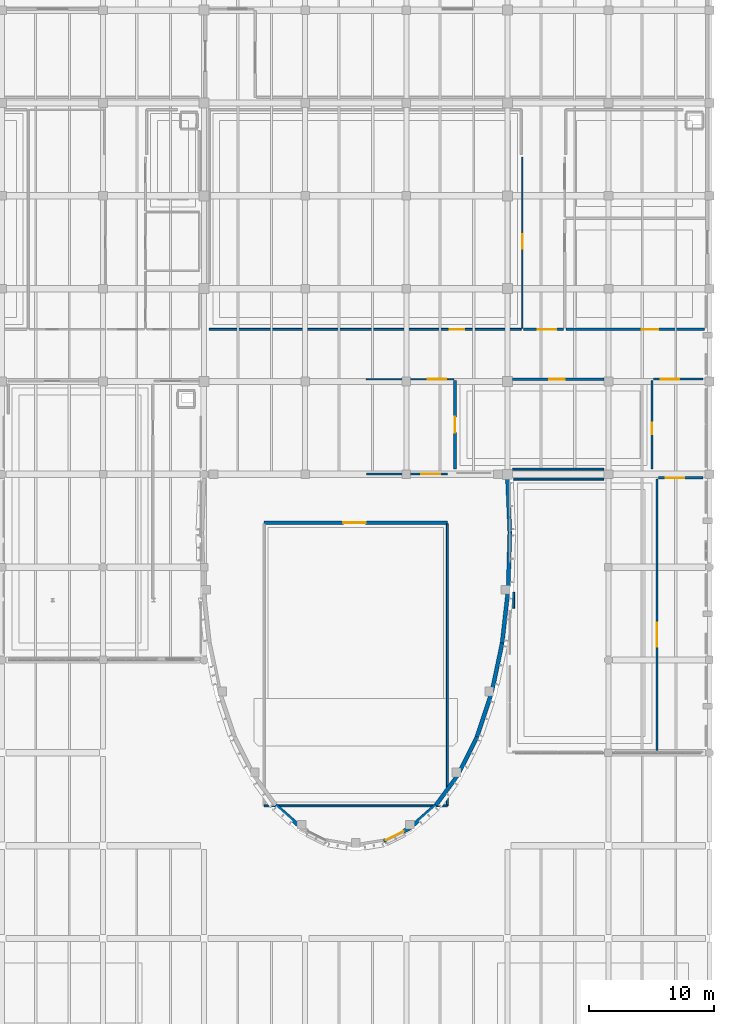
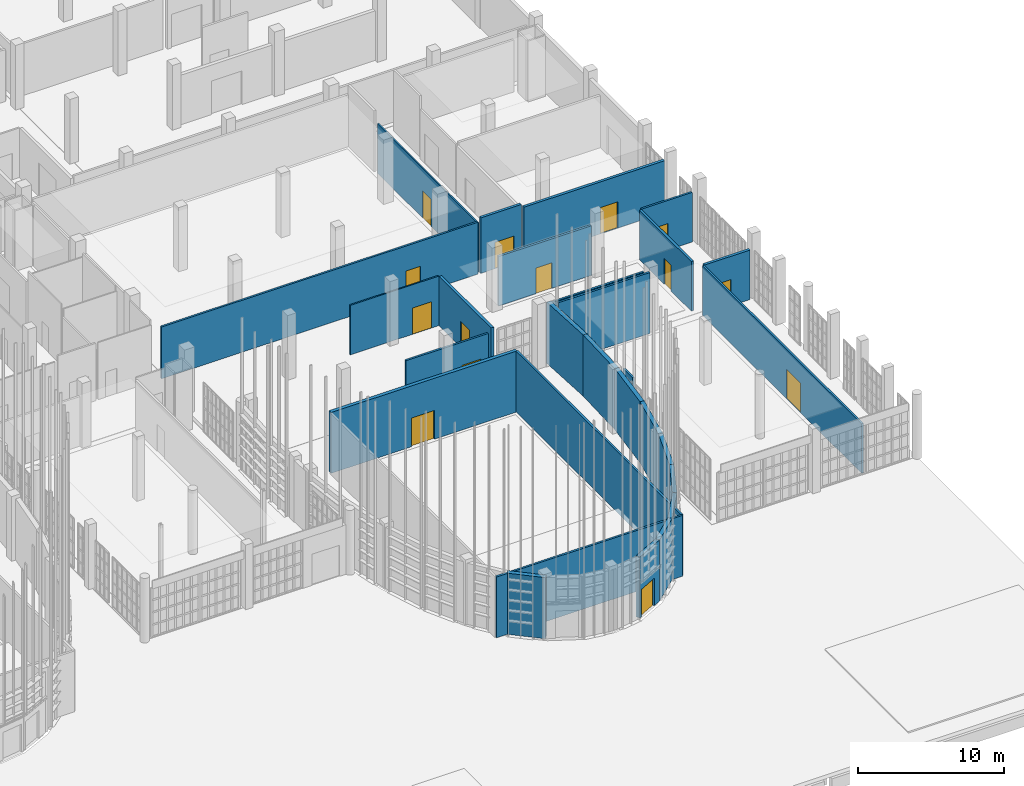
# One storey, part 358 of 372: 28 walls, 14 doors, 14 openings.
"""IFC4 building model written with IfcOpenShell, lengths in metres."""

from ifc_helpers import new_model, si_unit, direction, frame, frame_2d, origin, place, context, subcontext, project, spatial, rectangle, extrude, material, layer, layer_set, type_object, element, fill, save


model = new_model("IFC4")

# Units and contexts
model_context = context("Model", 3, precision=1e-05, world=origin(), true_north=direction((0.0, 1.0)))
body_context = subcontext(model_context, "Body", "Model", "MODEL_VIEW")
ifc_project = project(units=[si_unit("LENGTHUNIT", "METRE"), si_unit("AREAUNIT", "SQUARE_METRE"), si_unit("VOLUMEUNIT", "CUBIC_METRE"), si_unit("PLANEANGLEUNIT", "RADIAN"), si_unit("MASSUNIT", "GRAM", prefix="KILO")], contexts=[model_context])

# Site, building, storey
site_placement = place(None, origin())
site = spatial("IfcSite", under=ifc_project, at=site_placement, CompositionType="ELEMENT")
building_placement = place(site_placement, origin())
building = spatial("IfcBuilding", under=site, at=building_placement, Name="Kaelora Sail Theatre", CompositionType="ELEMENT")
storey_placement = place(building_placement, origin())
storey = spatial("IfcBuildingStorey", under=building, at=storey_placement, Name="L00", CompositionType="ELEMENT", Elevation=0.0)

# Walls
ifc_material_1 = material(Name="Concrete C45/55", Category="concrete")
ifc_layer_1 = layer(ifc_material_1, 0.320068359375)
ifc_layer_set_1 = layer_set([ifc_layer_1], Name="Concrete C45/55")
wall_type_1 = type_object("IfcWallType", Name="ARC-WL-DW-320", PredefinedType="SHEAR", material=ifc_layer_set_1)
wall_1_placement = place(storey_placement, frame((147.300048828125, 53.580078125, 0.0), z_axis=(0.0, 0.0, 1.0), x_axis=(0.042491348944, -0.999096834779, 0.0)))
element("IfcWall", 1, at=wall_1_placement, inside=storey, type_object=wall_type_1, Name="Black-Box and Experimental Sail Wing curved drum acoustic wall L00 chord 1", PredefinedType="SHEAR", context=body_context, shape_type="SweptSolid", body=[
    extrude(rectangle(XDim=4.65966796875, YDim=0.320068359375, at=frame_2d((2.329833984375, 0.0))), origin(), (0.0, 0.0, 1.0), 5.10498046875),
])
wall_2_placement = place(storey_placement, frame((147.498046875, 48.924560546875, 0.0), z_axis=(0.0, 0.0, 1.0), x_axis=(-0.028914192202, -0.99958189734, 0.0)))
element("IfcWall", 2, at=wall_2_placement, inside=storey, type_object=wall_type_1, Name="Black-Box and Experimental Sail Wing curved drum acoustic wall L00 chord 2", PredefinedType="SHEAR", context=body_context, shape_type="SweptSolid", body=[
    extrude(rectangle(XDim=4.542724609375, YDim=0.320068359375, at=frame_2d((2.271484375, 0.0))), origin(), (0.0, 0.0, 1.0), 5.10498046875),
])
wall_3_placement = place(storey_placement, frame((147.36669921875, 44.3837890625, 0.0), z_axis=(0.0, 0.0, 1.0), x_axis=(-0.110727786474, -0.99385077215, 0.0)))
element("IfcWall", 3, at=wall_3_placement, inside=storey, type_object=wall_type_1, Name="Black-Box and Experimental Sail Wing curved drum acoustic wall L00 chord 3", PredefinedType="SHEAR", context=body_context, shape_type="SweptSolid", body=[
    extrude(rectangle(XDim=4.34130859375, YDim=0.320068359375, at=frame_2d((2.170654296875, 0.0))), origin(), (0.0, 0.0, 1.0), 5.10498046875),
])
wall_4_placement = place(storey_placement, frame((146.885986328125, 40.069091796875, 0.0), z_axis=(0.0, 0.0, 1.0), x_axis=(-0.205581027368, -0.978640097884, 0.0)))
element("IfcWall", 4, at=wall_4_placement, inside=storey, type_object=wall_type_1, Name="Black-Box and Experimental Sail Wing curved drum acoustic wall L00 chord 4", PredefinedType="SHEAR", context=body_context, shape_type="SweptSolid", body=[
    extrude(rectangle(XDim=4.068603515625, YDim=0.320068359375, at=frame_2d((2.0341796875, 0.0))), origin(), (0.0, 0.0, 1.0), 5.10498046875),
])
wall_5_placement = place(storey_placement, frame((146.049560546875, 36.08740234375, 0.0), z_axis=(0.0, 0.0, 1.0), x_axis=(-0.316169058551, -0.948702865188, 0.0)))
element("IfcWall", 5, at=wall_5_placement, inside=storey, type_object=wall_type_1, Name="Black-Box and Experimental Sail Wing curved drum acoustic wall L00 chord 5", PredefinedType="SHEAR", context=body_context, shape_type="SweptSolid", body=[
    extrude(rectangle(XDim=3.74267578125, YDim=0.320068359375, at=frame_2d((1.871337890625, 0.0))), origin(), (0.0, 0.0, 1.0), 5.10498046875),
])
wall_6_placement = place(storey_placement, frame((144.8662109375, 32.53662109375, 0.0), z_axis=(0.0, 0.0, 1.0), x_axis=(-0.444413541931, -0.895821747754, 0.0)))
element("IfcWall", 6, at=wall_6_placement, inside=storey, type_object=wall_type_1, Name="Black-Box and Experimental Sail Wing curved drum acoustic wall L00 chord 6", PredefinedType="SHEAR", context=body_context, shape_type="SweptSolid", body=[
    extrude(rectangle(XDim=3.3857421875, YDim=0.320068359375, at=frame_2d((1.69287109375, 0.0))), origin(), (0.0, 0.0, 1.0), 5.10498046875),
])
wall_7_placement = place(storey_placement, frame((143.361572265625, 29.503662109375, 0.0), z_axis=(0.0, 0.0, 1.0), x_axis=(-0.590526669923, -0.80701812378, 0.0)))
element("IfcWall", 7, at=wall_7_placement, inside=storey, type_object=wall_type_1, Name="Black-Box and Experimental Sail Wing curved drum acoustic wall L00 chord 7", PredefinedType="SHEAR", context=body_context, shape_type="SweptSolid", body=[
    extrude(rectangle(XDim=3.0234375, YDim=0.320068359375, at=frame_2d((1.51171875, 0.0))), origin(), (0.0, 0.0, 1.0), 5.10498046875),
])
wall_8_placement = place(storey_placement, frame((141.576171875, 27.063720703125, 0.0), z_axis=(0.0, 0.0, 1.0), x_axis=(-0.747369254982, -0.664408907757, 0.0)))
element("IfcWall", 8, at=wall_8_placement, inside=storey, type_object=wall_type_1, Name="Black-Box and Experimental Sail Wing curved drum acoustic wall L00 chord 8", PredefinedType="SHEAR", context=body_context, shape_type="SweptSolid", body=[
    extrude(rectangle(XDim=2.689697265625, YDim=0.320068359375, at=frame_2d((1.3447265625, 0.0))), origin(), (0.0, 0.0, 1.0), 5.10498046875),
])

# Wall, opening, door
wall_9_placement = place(storey_placement, frame((139.56591796875, 25.276611328125, 0.0), z_axis=(0.0, 0.0, 1.0), x_axis=(-0.893358131495, -0.449345355925, 0.0)))
wall_9 = element("IfcWall", 9, at=wall_9_placement, inside=storey, type_object=wall_type_1, Name="Black-Box and Experimental Sail Wing curved drum acoustic wall L00 chord 9", PredefinedType="SHEAR", context=body_context, shape_type="SweptSolid", body=[
    extrude(rectangle(XDim=2.426513671875, YDim=0.320068359375, at=frame_2d((1.21337890625, 0.0))), origin(), (0.0, 0.0, 1.0), 5.10498046875),
])
opening_1_placement = place(wall_9_placement, frame((0.64599609375, 0.0, 0.0)))
opening_1 = element("IfcOpeningElement", 10, at=opening_1_placement, cuts=wall_9, Name="Opening ED-05", PredefinedType="OPENING", context=body_context, shape_type="SweptSolid", body=[
    extrude(rectangle(XDim=1.60009765625, YDim=2.300048828125, at=frame_2d((0.800048828125, 1.14990234375))), frame((0.0, 0.170156, 0.0), z_axis=(0.0, -1.0, 0.0), x_axis=(1.0, 0.0, 0.0)), (0.0, 0.0, 1.0), 0.340068),
])
ifc_material_2 = material(Name="Terrace glazed double swing door", Category="aluminium")
door_type_1 = type_object("IfcDoorType", Name="ARC-DR-ED-05", OperationType="NOTDEFINED", PredefinedType="DOOR", material=ifc_material_2)
door_1_placement = place(opening_1_placement, origin())
door_1 = element("IfcDoor", 11, at=door_1_placement, inside=storey, type_object=door_type_1, Name="Black-Box and Experimental Sail Wing plaza final exit door C9", OperationType="DOUBLE_DOOR_SINGLE_SWING", OverallHeight=2.300048828125, OverallWidth=1.60009765625, PredefinedType="DOOR", context=body_context, shape_type="SweptSolid", body=[
    extrude(rectangle(XDim=1.60009765625, YDim=2.300048828125, at=frame_2d((0.800048828125, 1.14990234375))), frame((0.0, 0.02490234375, 0.0), z_axis=(0.0, -1.0, 0.0), x_axis=(1.0, 0.0, 0.0)), (0.0, 0.0, 1.0), 0.050048828125),
])
fill(opening_1, door_1)

# Wall
wall_10_placement = place(storey_placement, frame((130.734130859375, 25.276611328125, 0.0), z_axis=(0.0, 0.0, 1.0), x_axis=(-0.747369254982, 0.664408907757, 0.0)))
element("IfcWall", 12, at=wall_10_placement, inside=storey, type_object=wall_type_1, Name="Black-Box and Experimental Sail Wing curved drum acoustic wall L00 chord 13", PredefinedType="SHEAR", context=body_context, shape_type="SweptSolid", body=[
    extrude(rectangle(XDim=2.689697265625, YDim=0.320068359375, at=frame_2d((1.3447265625, 0.0))), origin(), (0.0, 0.0, 1.0), 5.10498046875),
])

# Wall, opening, door
ifc_material_3 = material(Name="Demountable acoustic studio wall 150 mm", Category="timber")
ifc_layer_2 = layer(ifc_material_3, 0.14990234375)
ifc_layer_set_2 = layer_set([ifc_layer_2], Name="Demountable acoustic studio wall 150 mm")
wall_type_2 = type_object("IfcWallType", Name="ARC-WL-MV-150", PredefinedType="MOVABLE", material=ifc_layer_set_2)
wall_11_placement = place(storey_placement, frame((159.300048828125, 31.429931640625, 0.0), z_axis=(0.0, 0.0, 1.0), x_axis=(0.0, 1.0, 0.0)))
wall_11 = element("IfcWall", 13, at=wall_11_placement, inside=storey, type_object=wall_type_2, Name="Interior acoustic partition L00-COL-EAST/L00-COR-COLE", PredefinedType="MOVABLE", context=body_context, shape_type="SweptSolid", body=[
    extrude(rectangle(XDim=21.77001953125, YDim=0.14990234375, at=frame_2d((10.885009765625, 0.0))), origin(), (0.0, 0.0, 1.0), 4.136962890625),
])
opening_2_placement = place(wall_11_placement, frame((8.322021484375, 0.0, 0.0)))
opening_2 = element("IfcOpeningElement", 14, at=opening_2_placement, cuts=wall_11, Name="Opening ID-10", PredefinedType="OPENING", context=body_context, shape_type="SweptSolid", body=[
    extrude(rectangle(XDim=1.949951171875, YDim=2.449951171875, at=frame_2d((0.97509765625, 1.22509765625))), frame((0.0, 0.084951, 0.0), z_axis=(0.0, -1.0, 0.0), x_axis=(1.0, 0.0, 0.0)), (0.0, 0.0, 1.0), 0.169902),
])
ifc_material_4 = material(Name="Foyer hospitality glazed double door", Category="steel")
door_type_2 = type_object("IfcDoorType", Name="ARC-DR-ID-10", OperationType="NOTDEFINED", PredefinedType="DOOR", material=ifc_material_4)
door_2_placement = place(opening_2_placement, origin())
door_2 = element("IfcDoor", 15, at=door_2_placement, inside=storey, type_object=door_type_2, Name="Interior door L00-COL-EAST to L00-COR-COLE", OperationType="DOUBLE_DOOR_SINGLE_SWING", OverallHeight=2.449951171875, OverallWidth=1.949951171875, PredefinedType="DOOR", context=body_context, shape_type="SweptSolid", body=[
    extrude(rectangle(XDim=1.949951171875, YDim=2.449951171875, at=frame_2d((0.97509765625, 1.22509765625))), frame((0.0, 0.02490234375, 0.0), z_axis=(0.0, -1.0, 0.0), x_axis=(1.0, 0.0, 0.0)), (0.0, 0.0, 1.0), 0.050048828125),
])
fill(opening_2, door_2)

wall_12_placement = place(storey_placement, frame((123.39990234375, 65.199951171875, 0.0), z_axis=(0.0, 0.0, 1.0), x_axis=(1.0, 0.0, 0.0)))
wall_12 = element("IfcWall", 16, at=wall_12_placement, inside=storey, type_object=wall_type_2, Name="Interior acoustic partition L00-COR-FOYC/L00-FOY-EAST", PredefinedType="MOVABLE", context=body_context, shape_type="SweptSolid", body=[
    extrude(rectangle(XDim=25.0, YDim=0.14990234375, at=frame_2d((12.5, 0.0))), origin(), (0.0, 0.0, 1.0), 4.3369140625),
])
opening_3_placement = place(wall_12_placement, frame((19.2890625, 0.0, 0.0)))
opening_3 = element("IfcOpeningElement", 17, at=opening_3_placement, cuts=wall_12, Name="Opening ID-07", PredefinedType="OPENING", context=body_context, shape_type="SweptSolid", body=[
    extrude(rectangle(XDim=1.14990234375, YDim=2.25, at=frame_2d((0.574951171875, 1.125))), frame((0.0, 0.084951, 0.0), z_axis=(0.0, -1.0, 0.0), x_axis=(1.0, 0.0, 0.0)), (0.0, 0.0, 1.0), 0.169902),
])
ifc_material_5 = material(Name="Chorus ensemble wide single door", Category="steel")
door_type_3 = type_object("IfcDoorType", Name="ARC-DR-ID-07", OperationType="NOTDEFINED", PredefinedType="DOOR", material=ifc_material_5)
door_3_placement = place(opening_3_placement, origin())
door_3 = element("IfcDoor", 18, at=door_3_placement, inside=storey, type_object=door_type_3, Name="Interior door L00-COR-FOYC to L00-FOY-EAST", OperationType="SINGLE_SWING_RIGHT", OverallHeight=2.25, OverallWidth=1.14990234375, PredefinedType="DOOR", context=body_context, shape_type="SweptSolid", body=[
    extrude(rectangle(XDim=1.14990234375, YDim=2.25, at=frame_2d((0.574951171875, 1.125))), frame((0.0, 0.02490234375, 0.0), z_axis=(0.0, -1.0, 0.0), x_axis=(1.0, 0.0, 0.0)), (0.0, 0.0, 1.0), 0.050048828125),
])
fill(opening_3, door_3)

ifc_material_6 = material(Name="Sanitary moisture-resistant partition 100 mm", Category="gypsum")
ifc_layer_3 = layer(ifc_material_6, 0.10009765625)
ifc_layer_set_3 = layer_set([ifc_layer_3], Name="Sanitary moisture-resistant partition 100 mm")
wall_type_3 = type_object("IfcWallType", Name="ARC-WL-PT-100", PredefinedType="PARTITIONING", material=ifc_layer_set_3)
wall_13_placement = place(storey_placement, frame((148.5, 65.300048828125, 0.0), z_axis=(0.0, 0.0, 1.0), x_axis=(0.0, 1.0, 0.0)))
wall_13 = element("IfcWall", 19, at=wall_13_placement, inside=storey, type_object=wall_type_3, Name="Interior acoustic partition L00-FOY-EAST/L00-COR-FCC", PredefinedType="PARTITIONING", context=body_context, shape_type="SweptSolid", body=[
    extrude(rectangle(XDim=13.699951171875, YDim=0.10009765625, at=frame_2d((6.85009765625, 0.0))), origin(), (0.0, 0.0, 1.0), 4.136962890625),
])
opening_4_placement = place(wall_13_placement, frame((6.375, 0.0, 0.0)))
opening_4 = element("IfcOpeningElement", 20, at=opening_4_placement, cuts=wall_13, Name="Opening ID-07", PredefinedType="OPENING", context=body_context, shape_type="SweptSolid", body=[
    extrude(rectangle(XDim=1.14990234375, YDim=2.25, at=frame_2d((0.574951171875, 1.125))), frame((0.0, 0.060049, 0.0), z_axis=(0.0, -1.0, 0.0), x_axis=(1.0, 0.0, 0.0)), (0.0, 0.0, 1.0), 0.120098),
])
door_4_placement = place(opening_4_placement, origin())
door_4 = element("IfcDoor", 21, at=door_4_placement, inside=storey, type_object=door_type_3, Name="Interior door L00-FOY-EAST to L00-COR-FCC", OperationType="SINGLE_SWING_RIGHT", OverallHeight=2.25, OverallWidth=1.14990234375, PredefinedType="DOOR", context=body_context, shape_type="SweptSolid", body=[
    extrude(rectangle(XDim=1.14990234375, YDim=2.25, at=frame_2d((0.574951171875, 1.125))), frame((0.0, 0.02490234375, 0.0), z_axis=(0.0, -1.0, 0.0), x_axis=(1.0, 0.0, 0.0)), (0.0, 0.0, 1.0), 0.050048828125),
])
fill(opening_4, door_4)

ifc_material_7 = material(Name="Office acoustic stud partition 110 mm", Category="gypsum")
ifc_layer_4 = layer(ifc_material_7, 0.110107421875)
ifc_layer_set_4 = layer_set([ifc_layer_4], Name="Office acoustic stud partition 110 mm")
wall_type_4 = type_object("IfcWallType", Name="ARC-WL-PT-110", PredefinedType="PARTITIONING", material=ifc_layer_set_4)
wall_14_placement = place(storey_placement, frame((136.0, 61.199951171875, 0.0), z_axis=(0.0, 0.0, 1.0), x_axis=(1.0, 0.0, 0.0)))
wall_14 = element("IfcWall", 22, at=wall_14_placement, inside=storey, type_object=wall_type_4, Name="Interior acoustic partition L00-COR-BBL/L00-COR-FOYC", PredefinedType="PARTITIONING", context=body_context, shape_type="SweptSolid", body=[
    extrude(rectangle(XDim=7.0, YDim=0.110107421875, at=frame_2d((3.5, 0.0))), origin(), (0.0, 0.0, 1.0), 4.136962890625),
])
opening_5_placement = place(wall_14_placement, frame((4.919921875, 0.0, 0.0)))
opening_5 = element("IfcOpeningElement", 23, at=opening_5_placement, cuts=wall_14, Name="Opening FD-01", PredefinedType="OPENING", context=body_context, shape_type="SweptSolid", body=[
    extrude(rectangle(XDim=1.5, YDim=2.199951171875, at=frame_2d((0.75, 1.10009765625))), frame((0.0, 0.065176, 0.0), z_axis=(0.0, -1.0, 0.0), x_axis=(1.0, 0.0, 0.0)), (0.0, 0.0, 1.0), 0.130107),
])
ifc_material_8 = material(Name="Acoustic steel double fire door EI 90-C", Category="steel")
door_type_4 = type_object("IfcDoorType", Name="ARC-DR-FD-01", OperationType="NOTDEFINED", PredefinedType="DOOR", material=ifc_material_8)
door_5_placement = place(opening_5_placement, origin())
door_5 = element("IfcDoor", 24, at=door_5_placement, inside=storey, type_object=door_type_4, Name="Interior door L00-COR-BBL to L00-COR-FOYC", OperationType="DOUBLE_DOOR_SINGLE_SWING", OverallHeight=2.199951171875, OverallWidth=1.5, PredefinedType="DOOR", context=body_context, shape_type="SweptSolid", body=[
    extrude(rectangle(XDim=1.5, YDim=2.199951171875, at=frame_2d((0.75, 1.10009765625))), frame((0.0, 0.02490234375, 0.0), z_axis=(0.0, -1.0, 0.0), x_axis=(1.0, 0.0, 0.0)), (0.0, 0.0, 1.0), 0.050048828125),
])
fill(opening_5, door_5)

ifc_material_9 = material(Name="Acoustic metal-stud plasterboard 160 mm", Category="gypsum")
ifc_layer_5 = layer(ifc_material_9, 0.159912109375)
ifc_layer_set_5 = layer_set([ifc_layer_5], Name="Acoustic metal-stud plasterboard 160 mm")
wall_type_5 = type_object("IfcWallType", Name="ARC-WL-PT-160", PredefinedType="PARTITIONING", material=ifc_layer_set_5)
wall_15_placement = place(storey_placement, frame((136.0, 53.60009765625, 0.0), z_axis=(0.0, 0.0, 1.0), x_axis=(1.0, 0.0, 0.0)))
wall_15 = element("IfcWall", 25, at=wall_15_placement, inside=storey, type_object=wall_type_5, Name="Interior acoustic partition L00-BB-LOB/L00-COR-BBL", PredefinedType="PARTITIONING", context=body_context, shape_type="SweptSolid", body=[
    extrude(rectangle(XDim=6.5, YDim=0.159912109375, at=frame_2d((3.25, 0.0))), origin(), (0.0, 0.0, 1.0), 4.136962890625),
])
opening_6_placement = place(wall_15_placement, frame((4.419921875, 0.0, 0.0)))
opening_6 = element("IfcOpeningElement", 26, at=opening_6_placement, cuts=wall_15, Name="Opening FD-01", PredefinedType="OPENING", context=body_context, shape_type="SweptSolid", body=[
    extrude(rectangle(XDim=1.5, YDim=2.199951171875, at=frame_2d((0.75, 1.10009765625))), frame((0.0, 0.090078, 0.0), z_axis=(0.0, -1.0, 0.0), x_axis=(1.0, 0.0, 0.0)), (0.0, 0.0, 1.0), 0.179912),
])
door_6_placement = place(opening_6_placement, origin())
door_6 = element("IfcDoor", 27, at=door_6_placement, inside=storey, type_object=door_type_4, Name="Interior door L00-BB-LOB to L00-COR-BBL", OperationType="DOUBLE_DOOR_SINGLE_SWING", OverallHeight=2.199951171875, OverallWidth=1.5, PredefinedType="DOOR", context=body_context, shape_type="SweptSolid", body=[
    extrude(rectangle(XDim=1.5, YDim=2.199951171875, at=frame_2d((0.75, 1.10009765625))), frame((0.0, 0.02490234375, 0.0), z_axis=(0.0, -1.0, 0.0), x_axis=(1.0, 0.0, 0.0)), (0.0, 0.0, 1.0), 0.050048828125),
])
fill(opening_6, door_6)

wall_16_placement = place(storey_placement, frame((159.0, 61.199951171875, 0.0), z_axis=(0.0, 0.0, 1.0), x_axis=(1.0, 0.0, 0.0)))
wall_16 = element("IfcWall", 28, at=wall_16_placement, inside=storey, type_object=wall_type_5, Name="Interior acoustic partition L00-COR-FOYC/L00-COR-SE", PredefinedType="PARTITIONING", context=body_context, shape_type="SweptSolid", body=[
    extrude(rectangle(XDim=4.0, YDim=0.159912109375, at=frame_2d((2.0, 0.0))), origin(), (0.0, 0.0, 1.0), 4.136962890625),
])
opening_7_placement = place(wall_16_placement, frame((0.580078125, 0.0, 0.0)))
opening_7 = element("IfcOpeningElement", 29, at=opening_7_placement, cuts=wall_16, Name="Opening FD-01", PredefinedType="OPENING", context=body_context, shape_type="SweptSolid", body=[
    extrude(rectangle(XDim=1.5, YDim=2.199951171875, at=frame_2d((0.75, 1.10009765625))), frame((0.0, 0.090078, 0.0), z_axis=(0.0, -1.0, 0.0), x_axis=(1.0, 0.0, 0.0)), (0.0, 0.0, 1.0), 0.179912),
])
door_7_placement = place(opening_7_placement, origin())
door_7 = element("IfcDoor", 30, at=door_7_placement, inside=storey, type_object=door_type_4, Name="Interior door L00-COR-FOYC to L00-COR-SE", OperationType="DOUBLE_DOOR_SINGLE_SWING", OverallHeight=2.199951171875, OverallWidth=1.5, PredefinedType="DOOR", context=body_context, shape_type="SweptSolid", body=[
    extrude(rectangle(XDim=1.5, YDim=2.199951171875, at=frame_2d((0.75, 1.10009765625))), frame((0.0, 0.02490234375, 0.0), z_axis=(0.0, -1.0, 0.0), x_axis=(1.0, 0.0, 0.0)), (0.0, 0.0, 1.0), 0.050048828125),
])
fill(opening_7, door_7)

# Walls
wall_17_placement = place(storey_placement, frame((127.800048828125, 27.0, 0.0), z_axis=(0.0, 0.0, 1.0), x_axis=(1.0, 0.0, 0.0)))
element("IfcWall", 31, at=wall_17_placement, inside=storey, type_object=wall_type_5, Name="Room enclosure wall L00-AUD-BB-S1", PredefinedType="PARTITIONING", context=body_context, shape_type="SweptSolid", body=[
    extrude(rectangle(XDim=14.699951171875, YDim=0.159912109375, at=frame_2d((7.35009765625, 0.0))), origin(), (0.0, 0.0, 1.0), 5.0849609375),
])
wall_18_placement = place(storey_placement, frame((142.5, 27.0, 0.0), z_axis=(0.0, 0.0, 1.0), x_axis=(0.0, 1.0, 0.0)))
element("IfcWall", 32, at=wall_18_placement, inside=storey, type_object=wall_type_5, Name="Room enclosure wall L00-AUD-BB-E1", PredefinedType="PARTITIONING", context=body_context, shape_type="SweptSolid", body=[
    extrude(rectangle(XDim=22.60009765625, YDim=0.159912109375, at=frame_2d((11.300048828125, 0.0))), origin(), (0.0, 0.0, 1.0), 5.0849609375),
])
wall_19_placement = place(storey_placement, frame((147.800048828125, 53.199951171875, 0.0), z_axis=(0.0, 0.0, 1.0), x_axis=(1.0, 0.0, 0.0)))
element("IfcWall", 33, at=wall_19_placement, inside=storey, type_object=wall_type_5, Name="Room enclosure wall L00-COL-EAST-N1", PredefinedType="PARTITIONING", context=body_context, shape_type="SweptSolid", body=[
    extrude(rectangle(XDim=7.22998046875, YDim=0.159912109375, at=frame_2d((3.614990234375, 0.0))), origin(), (0.0, 0.0, 1.0), 5.0849609375),
])
wall_20_placement = place(storey_placement, frame((147.800048828125, 42.85009765625, 0.0), z_axis=(0.0, 0.0, 1.0), x_axis=(0.0, 1.0, 0.0)))
element("IfcWall", 34, at=wall_20_placement, inside=storey, type_object=wall_type_5, Name="Room enclosure wall L00-COL-EAST-W1", PredefinedType="PARTITIONING", context=body_context, shape_type="SweptSolid", body=[
    extrude(rectangle(XDim=1.28369140625, YDim=0.159912109375, at=frame_2d((0.641845703125, 0.0))), origin(), (0.0, 0.0, 1.0), 5.0849609375),
])
wall_21_placement = place(storey_placement, frame((147.719970703125, 54.0, 0.0), z_axis=(0.0, 0.0, 1.0), x_axis=(1.0, 0.0, 0.0)))
element("IfcWall", 35, at=wall_21_placement, inside=storey, type_object=wall_type_5, Name="Room enclosure wall L00-FOY-SE-S1", PredefinedType="PARTITIONING", context=body_context, shape_type="SweptSolid", body=[
    extrude(rectangle(XDim=7.31005859375, YDim=0.159912109375, at=frame_2d((3.655029296875, 0.0))), origin(), (0.0, 0.0, 1.0), 4.636962890625),
])

# Wall, opening, door
ifc_material_10 = material(Name="Workshop acoustic stud partition 170 mm", Category="gypsum")
ifc_layer_6 = layer(ifc_material_10, 0.169921875)
ifc_layer_set_6 = layer_set([ifc_layer_6], Name="Workshop acoustic stud partition 170 mm")
wall_type_6 = type_object("IfcWallType", Name="ARC-WL-PT-170", PredefinedType="PARTITIONING", material=ifc_layer_set_6)
wall_22_placement = place(storey_placement, frame((147.705078125, 61.199951171875, 0.0), z_axis=(0.0, 0.0, 1.0), x_axis=(1.0, 0.0, 0.0)))
wall_22 = element("IfcWall", 36, at=wall_22_placement, inside=storey, type_object=wall_type_6, Name="Interior acoustic partition L00-COR-FOYC/L00-FOY-SE", PredefinedType="PARTITIONING", context=body_context, shape_type="SweptSolid", body=[
    extrude(rectangle(XDim=7.33984375, YDim=0.169921875, at=frame_2d((3.669921875, 0.0))), origin(), (0.0, 0.0, 1.0), 4.136962890625),
])
opening_8_placement = place(wall_22_placement, frame((2.946044921875, 0.0, 0.0)))
opening_8 = element("IfcOpeningElement", 37, at=opening_8_placement, cuts=wall_22, Name="Opening ID-11", PredefinedType="OPENING", context=body_context, shape_type="SweptSolid", body=[
    extrude(rectangle(XDim=1.25, YDim=2.14990234375, at=frame_2d((0.625, 1.074951171875))), frame((0.0, 0.094961, 0.0), z_axis=(0.0, -1.0, 0.0), x_axis=(1.0, 0.0, 0.0)), (0.0, 0.0, 1.0), 0.189922),
])
ifc_material_11 = material(Name="Plant & rack room steel single door", Category="steel")
door_type_5 = type_object("IfcDoorType", Name="ARC-DR-ID-11", OperationType="NOTDEFINED", PredefinedType="DOOR", material=ifc_material_11)
door_8_placement = place(opening_8_placement, origin())
door_8 = element("IfcDoor", 38, at=door_8_placement, inside=storey, type_object=door_type_5, Name="Interior door L00-COR-FOYC to L00-FOY-SE", OperationType="SINGLE_SWING_RIGHT", OverallHeight=2.14990234375, OverallWidth=1.25, PredefinedType="DOOR", context=body_context, shape_type="SweptSolid", body=[
    extrude(rectangle(XDim=1.25, YDim=2.14990234375, at=frame_2d((0.625, 1.074951171875))), frame((0.0, 0.02490234375, 0.0), z_axis=(0.0, -1.0, 0.0), x_axis=(1.0, 0.0, 0.0)), (0.0, 0.0, 1.0), 0.050048828125),
])
fill(opening_8, door_8)

ifc_material_12 = material(Name="Rehearsal double-stud partition 185 mm", Category="gypsum")
ifc_layer_7 = layer(ifc_material_12, 0.18505859375)
ifc_layer_set_7 = layer_set([ifc_layer_7], Name="Rehearsal double-stud partition 185 mm")
wall_type_7 = type_object("IfcWallType", Name="ARC-WL-PT-185", PredefinedType="PARTITIONING", material=ifc_layer_set_7)
wall_23_placement = place(storey_placement, frame((158.89990234375, 54.0, 0.0), z_axis=(0.0, 0.0, 1.0), x_axis=(0.0, 1.0, 0.0)))
wall_23 = element("IfcWall", 39, at=wall_23_placement, inside=storey, type_object=wall_type_7, Name="Interior acoustic partition L00-FOY-SE/L00-COR-SE", PredefinedType="PARTITIONING", context=body_context, shape_type="SweptSolid", body=[
    extrude(rectangle(XDim=7.10009765625, YDim=0.18505859375, at=frame_2d((3.550048828125, 0.0))), origin(), (0.0, 0.0, 1.0), 4.136962890625),
])
opening_9_placement = place(wall_23_placement, frame((2.77587890625, 0.0, 0.0)))
opening_9 = element("IfcOpeningElement", 40, at=opening_9_placement, cuts=wall_23, Name="Opening ID-02", PredefinedType="OPENING", context=body_context, shape_type="SweptSolid", body=[
    extrude(rectangle(XDim=0.949951171875, YDim=2.14990234375, at=frame_2d((0.47509765625, 1.074951171875))), frame((0.0, 0.102529, 0.0), z_axis=(0.0, -1.0, 0.0), x_axis=(1.0, 0.0, 0.0)), (0.0, 0.0, 1.0), 0.205059),
])
ifc_material_13 = material(Name="Timber dressing and office single door", Category="wood")
door_type_6 = type_object("IfcDoorType", Name="ARC-DR-ID-02", OperationType="NOTDEFINED", PredefinedType="DOOR", material=ifc_material_13)
door_9_placement = place(opening_9_placement, origin())
door_9 = element("IfcDoor", 41, at=door_9_placement, inside=storey, type_object=door_type_6, Name="Interior door L00-FOY-SE to L00-COR-SE", OperationType="SINGLE_SWING_RIGHT", OverallHeight=2.14990234375, OverallWidth=0.949951171875, PredefinedType="DOOR", context=body_context, shape_type="SweptSolid", body=[
    extrude(rectangle(XDim=0.949951171875, YDim=2.14990234375, at=frame_2d((0.47509765625, 1.074951171875))), frame((0.0, 0.02490234375, 0.0), z_axis=(0.0, -1.0, 0.0), x_axis=(1.0, 0.0, 0.0)), (0.0, 0.0, 1.0), 0.050048828125),
])
fill(opening_9, door_9)

ifc_material_14 = material(Name="Acoustic double-stud plasterboard 200 mm", Category="gypsum")
ifc_layer_8 = layer(ifc_material_14, 0.199951171875)
ifc_layer_set_8 = layer_set([ifc_layer_8], Name="Acoustic double-stud plasterboard 200 mm")
wall_type_8 = type_object("IfcWallType", Name="ARC-WL-PT-200", PredefinedType="PARTITIONING", material=ifc_layer_set_8)
wall_24_placement = place(storey_placement, frame((148.60009765625, 65.199951171875, 0.0), z_axis=(0.0, 0.0, 1.0), x_axis=(1.0, 0.0, 0.0)))
wall_24 = element("IfcWall", 42, at=wall_24_placement, inside=storey, type_object=wall_type_8, Name="Interior acoustic partition L00-COR-FOYC/L00-COR-FCC", PredefinedType="PARTITIONING", context=body_context, shape_type="SweptSolid", body=[
    extrude(rectangle(XDim=3.199951171875, YDim=0.199951171875, at=frame_2d((1.60009765625, 0.0))), origin(), (0.0, 0.0, 1.0), 4.636962890625),
])
opening_10_placement = place(wall_24_placement, frame((1.1201171875, 0.0, 0.0)))
opening_10 = element("IfcOpeningElement", 43, at=opening_10_placement, cuts=wall_24, Name="Opening FD-01", PredefinedType="OPENING", context=body_context, shape_type="SweptSolid", body=[
    extrude(rectangle(XDim=1.5, YDim=2.199951171875, at=frame_2d((0.75, 1.10009765625))), frame((0.0, 0.110098, 0.0), z_axis=(0.0, -1.0, 0.0), x_axis=(1.0, 0.0, 0.0)), (0.0, 0.0, 1.0), 0.219951),
])
door_10_placement = place(opening_10_placement, origin())
door_10 = element("IfcDoor", 44, at=door_10_placement, inside=storey, type_object=door_type_4, Name="Interior door L00-COR-FOYC to L00-COR-FCC", OperationType="DOUBLE_DOOR_SINGLE_SWING", OverallHeight=2.199951171875, OverallWidth=1.5, PredefinedType="DOOR", context=body_context, shape_type="SweptSolid", body=[
    extrude(rectangle(XDim=1.5, YDim=2.199951171875, at=frame_2d((0.75, 1.10009765625))), frame((0.0, 0.02490234375, 0.0), z_axis=(0.0, -1.0, 0.0), x_axis=(1.0, 0.0, 0.0)), (0.0, 0.0, 1.0), 0.050048828125),
])
fill(opening_10, door_10)

ifc_material_15 = material(Name="Studio box-in-box acoustic partition 215 mm", Category="gypsum")
ifc_layer_9 = layer(ifc_material_15, 0.215087890625)
ifc_layer_set_9 = layer_set([ifc_layer_9], Name="Studio box-in-box acoustic partition 215 mm")
wall_type_9 = type_object("IfcWallType", Name="ARC-WL-PT-215", PredefinedType="PARTITIONING", material=ifc_layer_set_9)
wall_25_placement = place(storey_placement, frame((143.10009765625, 54.0, 0.0), z_axis=(0.0, 0.0, 1.0), x_axis=(0.0, 1.0, 0.0)))
wall_25 = element("IfcWall", 45, at=wall_25_placement, inside=storey, type_object=wall_type_9, Name="Interior acoustic partition L00-COR-BBL/L00-FOY-SE", PredefinedType="PARTITIONING", context=body_context, shape_type="SweptSolid", body=[
    extrude(rectangle(XDim=7.10009765625, YDim=0.215087890625, at=frame_2d((3.550048828125, 0.0))), origin(), (0.0, 0.0, 1.0), 4.136962890625),
])
opening_11_placement = place(wall_25_placement, frame((2.925048828125, 0.0, 0.0)))
opening_11 = element("IfcOpeningElement", 46, at=opening_11_placement, cuts=wall_25, Name="Opening ID-11", PredefinedType="OPENING", context=body_context, shape_type="SweptSolid", body=[
    extrude(rectangle(XDim=1.25, YDim=2.14990234375, at=frame_2d((0.625, 1.074951171875))), frame((0.0, 0.117422, 0.0), z_axis=(0.0, -1.0, 0.0), x_axis=(1.0, 0.0, 0.0)), (0.0, 0.0, 1.0), 0.235088),
])
door_11_placement = place(opening_11_placement, origin())
door_11 = element("IfcDoor", 47, at=door_11_placement, inside=storey, type_object=door_type_5, Name="Interior door L00-COR-BBL to L00-FOY-SE", OperationType="SINGLE_SWING_RIGHT", OverallHeight=2.14990234375, OverallWidth=1.25, PredefinedType="DOOR", context=body_context, shape_type="SweptSolid", body=[
    extrude(rectangle(XDim=1.25, YDim=2.14990234375, at=frame_2d((0.625, 1.074951171875))), frame((0.0, 0.02490234375, 0.0), z_axis=(0.0, -1.0, 0.0), x_axis=(1.0, 0.0, 0.0)), (0.0, 0.0, 1.0), 0.050048828125),
])
fill(opening_11, door_11)

wall_26_placement = place(storey_placement, frame((159.39990234375, 53.300048828125, 0.0), z_axis=(0.0, 0.0, 1.0), x_axis=(1.0, 0.0, 0.0)))
wall_26 = element("IfcWall", 48, at=wall_26_placement, inside=storey, type_object=wall_type_9, Name="Interior acoustic partition L00-COR-COLE/L00-COR-SE", PredefinedType="PARTITIONING", context=body_context, shape_type="SweptSolid", body=[
    extrude(rectangle(XDim=3.60009765625, YDim=0.215087890625, at=frame_2d((1.800048828125, 0.0))), origin(), (0.0, 0.0, 1.0), 4.136962890625),
])
opening_12_placement = place(wall_26_placement, frame((0.580078125, 0.0, 0.0)))
opening_12 = element("IfcOpeningElement", 49, at=opening_12_placement, cuts=wall_26, Name="Opening FD-01", PredefinedType="OPENING", context=body_context, shape_type="SweptSolid", body=[
    extrude(rectangle(XDim=1.5, YDim=2.199951171875, at=frame_2d((0.75, 1.10009765625))), frame((0.0, 0.117422, 0.0), z_axis=(0.0, -1.0, 0.0), x_axis=(1.0, 0.0, 0.0)), (0.0, 0.0, 1.0), 0.235088),
])
door_12_placement = place(opening_12_placement, origin())
door_12 = element("IfcDoor", 50, at=door_12_placement, inside=storey, type_object=door_type_4, Name="Interior door L00-COR-COLE to L00-COR-SE", OperationType="DOUBLE_DOOR_SINGLE_SWING", OverallHeight=2.199951171875, OverallWidth=1.5, PredefinedType="DOOR", context=body_context, shape_type="SweptSolid", body=[
    extrude(rectangle(XDim=1.5, YDim=2.199951171875, at=frame_2d((0.75, 1.10009765625))), frame((0.0, 0.02490234375, 0.0), z_axis=(0.0, -1.0, 0.0), x_axis=(1.0, 0.0, 0.0)), (0.0, 0.0, 1.0), 0.050048828125),
])
fill(opening_12, door_12)

wall_27_placement = place(storey_placement, frame((152.0, 65.199951171875, 0.0), z_axis=(0.0, 0.0, 1.0), x_axis=(1.0, 0.0, 0.0)))
wall_27 = element("IfcWall", 51, at=wall_27_placement, inside=storey, type_object=wall_type_9, Name="Interior acoustic partition L00-COR-FOYC/L00-FIRSTAID", PredefinedType="PARTITIONING", context=body_context, shape_type="SweptSolid", body=[
    extrude(rectangle(XDim=11.1201171875, YDim=0.215087890625, at=frame_2d((5.56005859375, 0.0))), origin(), (0.0, 0.0, 1.0), 4.3369140625),
])
opening_13_placement = place(wall_27_placement, frame((6.05908203125, 0.0, 0.0)))
opening_13 = element("IfcOpeningElement", 52, at=opening_13_placement, cuts=wall_27, Name="Opening ID-08", PredefinedType="OPENING", context=body_context, shape_type="SweptSolid", body=[
    extrude(rectangle(XDim=1.35009765625, YDim=2.199951171875, at=frame_2d((0.675048828125, 1.10009765625))), frame((0.0, 0.117422, 0.0), z_axis=(0.0, -1.0, 0.0), x_axis=(1.0, 0.0, 0.0)), (0.0, 0.0, 1.0), 0.235088),
])
ifc_material_16 = material(Name="Instrument & libretto leaf-and-a-half door", Category="steel")
door_type_7 = type_object("IfcDoorType", Name="ARC-DR-ID-08", OperationType="NOTDEFINED", PredefinedType="DOOR", material=ifc_material_16)
door_13_placement = place(opening_13_placement, origin())
door_13 = element("IfcDoor", 53, at=door_13_placement, inside=storey, type_object=door_type_7, Name="Interior door L00-COR-FOYC to L00-FIRSTAID", OperationType="SINGLE_SWING_LEFT", OverallHeight=2.199951171875, OverallWidth=1.35009765625, PredefinedType="DOOR", context=body_context, shape_type="SweptSolid", body=[
    extrude(rectangle(XDim=1.35009765625, YDim=2.199951171875, at=frame_2d((0.675048828125, 1.10009765625))), frame((0.0, 0.02490234375, 0.0), z_axis=(0.0, -1.0, 0.0), x_axis=(1.0, 0.0, 0.0)), (0.0, 0.0, 1.0), 0.050048828125),
])
fill(opening_13, door_13)

ifc_material_17 = material(Name="Concrete C45/55", Category="concrete")
ifc_layer_10 = layer(ifc_material_17, 0.27001953125)
ifc_layer_set_10 = layer_set([ifc_layer_10], Name="Concrete C45/55")
wall_type_10 = type_object("IfcWallType", Name="ARC-WL-PW-270", PredefinedType="SOLIDWALL", material=ifc_layer_set_10)
wall_28_placement = place(storey_placement, frame((127.800048828125, 49.699951171875, 0.0), z_axis=(0.0, 0.0, 1.0), x_axis=(1.0, 0.0, 0.0)))
wall_28 = element("IfcWall", 54, at=wall_28_placement, inside=storey, type_object=wall_type_10, Name="Interior acoustic partition L00-AUD-BB/L00-BB-LOB", PredefinedType="SOLIDWALL", context=body_context, shape_type="SweptSolid", body=[
    extrude(rectangle(XDim=14.699951171875, YDim=0.27001953125, at=frame_2d((7.35009765625, 0.0))), origin(), (0.0, 0.0, 1.0), 5.0849609375),
])
opening_14_placement = place(wall_28_placement, frame((6.35107421875, 0.0, 0.0)))
opening_14 = element("IfcOpeningElement", 55, at=opening_14_placement, cuts=wall_28, Name="Opening FD-03", PredefinedType="OPENING", context=body_context, shape_type="SweptSolid", body=[
    extrude(rectangle(XDim=1.800048828125, YDim=2.39990234375, at=frame_2d((0.89990234375, 1.199951171875))), frame((0.0, 0.14501, 0.0), z_axis=(0.0, -1.0, 0.0), x_axis=(1.0, 0.0, 0.0)), (0.0, 0.0, 1.0), 0.29002),
])
ifc_material_18 = material(Name="Auditorium acoustic double sound-lock fire door FD60S", Category="steel")
door_type_8 = type_object("IfcDoorType", Name="ARC-DR-FD-03", OperationType="NOTDEFINED", PredefinedType="DOOR", material=ifc_material_18)
door_14_placement = place(opening_14_placement, origin())
door_14 = element("IfcDoor", 56, at=door_14_placement, inside=storey, type_object=door_type_8, Name="Interior door L00-AUD-BB to L00-BB-LOB", OperationType="DOUBLE_DOOR_SINGLE_SWING", OverallHeight=2.39990234375, OverallWidth=1.800048828125, PredefinedType="DOOR", context=body_context, shape_type="SweptSolid", body=[
    extrude(rectangle(XDim=1.800048828125, YDim=2.39990234375, at=frame_2d((0.89990234375, 1.199951171875))), frame((0.0, 0.02490234375, 0.0), z_axis=(0.0, -1.0, 0.0), x_axis=(1.0, 0.0, 0.0)), (0.0, 0.0, 1.0), 0.050048828125),
])
fill(opening_14, door_14)

save(model, "model.ifc")
